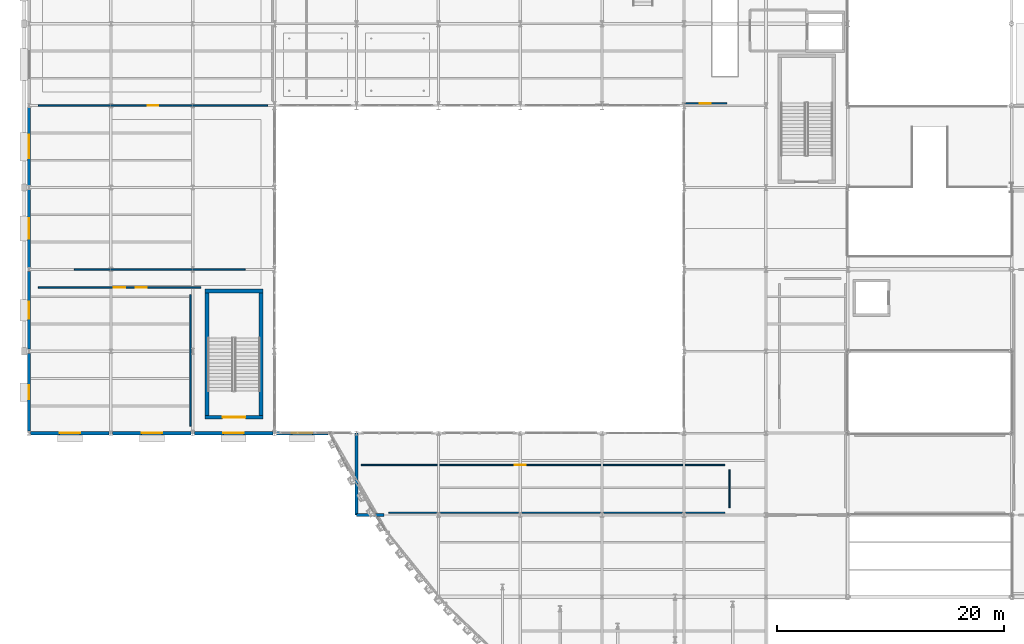
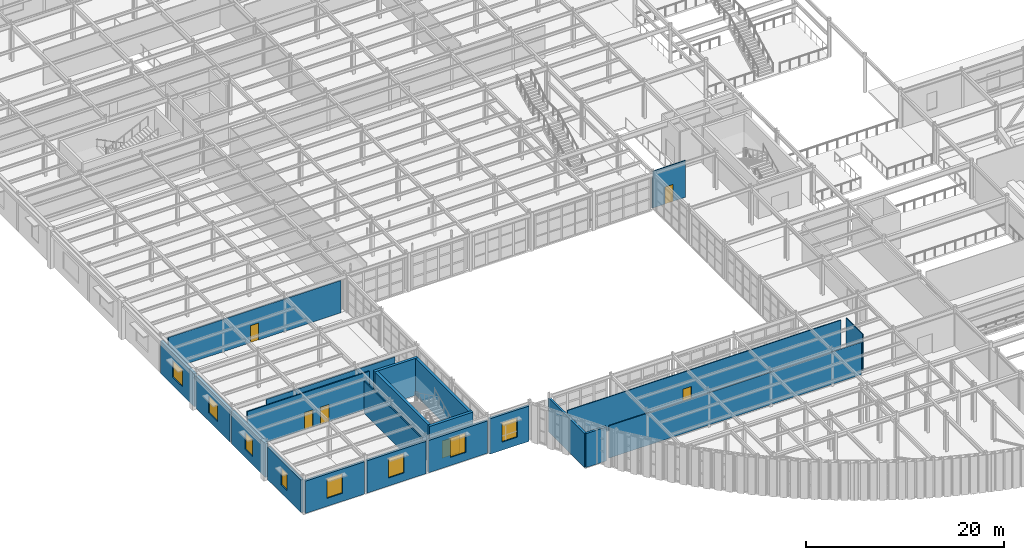
# One storey, part 94 of 121: 22 walls, 8 windows, 6 doors, 14 openings.
"""IFC4 building model written with IfcOpenShell, lengths in metres."""

from ifc_helpers import new_model, si_unit, direction, frame, frame_2d, origin, place, context, subcontext, project, spatial, rectangle, extrude, material, layer, layer_set, type_object, element, fill, save


model = new_model("IFC4")

# Units and contexts
model_context = context("Model", 3, precision=1e-05, world=origin(), true_north=direction((0.0, 1.0)))
body_context = subcontext(model_context, "Body", "Model", "MODEL_VIEW")
ifc_project = project(units=[si_unit("LENGTHUNIT", "METRE"), si_unit("AREAUNIT", "SQUARE_METRE"), si_unit("VOLUMEUNIT", "CUBIC_METRE"), si_unit("PLANEANGLEUNIT", "RADIAN"), si_unit("MASSUNIT", "GRAM", prefix="KILO")], contexts=[model_context])

# Site, building, storey
site_placement = place(None, origin())
site = spatial("IfcSite", under=ifc_project, at=site_placement, CompositionType="ELEMENT")
building_placement = place(site_placement, origin())
building = spatial("IfcBuilding", under=site, at=building_placement, Name="Solvadek Multi-Sports Hall", CompositionType="ELEMENT")
storey_placement = place(building_placement, frame((0.0, 0.0, 4.800048828125)))
storey = spatial("IfcBuildingStorey", under=building, at=storey_placement, Name="L01", CompositionType="ELEMENT", Elevation=4.800048828125)

# Walls
ifc_material_1 = material(Name="Dressed honey-cream limestone ashlar", Category="masonry")
ifc_layer_1 = layer(ifc_material_1, 0.25, Name="Dressed honey-cream limestone ashlar")
ifc_layer_set_1 = layer_set([ifc_layer_1], Name="Dressed honey-cream limestone ashlar")
wall_type_1 = type_object("IfcWallType", Name="ENV-WAL-EXT250", PredefinedType="SOLIDWALL", material=ifc_layer_set_1)
wall_1_placement = place(storey_placement, frame((28.800048828125, 13.199951171875, 0.0), z_axis=(0.0, 0.0, 1.0), x_axis=(0.0, 1.0, 0.0)))
element("IfcWall", 1, at=wall_1_placement, inside=storey, type_object=wall_type_1, Name="L01 Crescent Step Closure Wall #196", PredefinedType="SOLIDWALL", context=body_context, shape_type="SweptSolid", body=[
    extrude(rectangle(XDim=7.199951171875, YDim=0.25, at=frame_2d((3.60009765625, 0.0))), origin(), (0.0, 0.0, 1.0), 4.195068359375),
])
wall_2_placement = place(storey_placement, frame((28.800048828125, 13.199951171875, 0.0), z_axis=(0.0, 0.0, 1.0), x_axis=(1.0, 0.0, 0.0)))
element("IfcWall", 2, at=wall_2_placement, inside=storey, type_object=wall_type_1, Name="L01 Crescent Corner Closure Wall #197", PredefinedType="SOLIDWALL", context=body_context, shape_type="SweptSolid", body=[
    extrude(rectangle(XDim=2.39990234375, YDim=0.25, at=frame_2d((1.199951171875, 0.0))), origin(), (0.0, 0.0, 1.0), 4.195068359375),
])

# Wall, opening, window
ifc_layer_2 = layer(ifc_material_1, 0.300048828125, Name="Dressed honey-cream limestone ashlar")
ifc_layer_set_2 = layer_set([ifc_layer_2], Name="Dressed honey-cream limestone ashlar")
wall_type_2 = type_object("IfcWallType", Name="ENV-WAL-EXT300", PredefinedType="SOLIDWALL", material=ifc_layer_set_2)
wall_3_placement = place(storey_placement, frame((0.0, 20.583984375, 0.0), z_axis=(0.0, 0.0, 1.0), x_axis=(0.0, 1.0, 0.0)))
wall_3 = element("IfcWall", 3, at=wall_3_placement, inside=storey, type_object=wall_type_2, Name="L01 Exterior Masonry Wall #130", PredefinedType="SOLIDWALL", context=body_context, shape_type="SweptSolid", body=[
    extrude(rectangle(XDim=6.83203125, YDim=0.300048828125, at=frame_2d((3.416015625, 0.0))), origin(), (0.0, 0.0, 1.0), 4.044921875),
])
opening_1_placement = place(wall_3_placement, frame((2.81591796875, 0.0, 1.0)))
opening_1 = element("IfcOpeningElement", 4, at=opening_1_placement, cuts=wall_3, Name="Opening WN-09", PredefinedType="OPENING", context=body_context, shape_type="SweptSolid", body=[
    extrude(rectangle(XDim=1.199951171875, YDim=2.10009765625, at=frame_2d((0.60009765625, 1.050048828125))), frame((0.0, 0.159912109375, 0.0), z_axis=(0.0, -1.0, 0.0), x_axis=(1.0, 0.0, 0.0)), (0.0, 0.0, 1.0), 0.320068359375),
])
ifc_material_2 = material(Name="Tempered laminated low-E glass", Category="glass")
window_type_1 = type_object("IfcWindowType", Name="ENV-WIN-WN-09", PartitioningType="SINGLE_PANEL", PredefinedType="WINDOW", material=ifc_material_2)
window_1_placement = place(opening_1_placement, origin())
window_1 = element("IfcWindow", 5, at=window_1_placement, inside=storey, type_object=window_type_1, Name="L01 Facade Window WN-09 #21", OverallHeight=2.10009765625, OverallWidth=1.199951171875, PartitioningType="SINGLE_PANEL", PredefinedType="WINDOW", context=body_context, shape_type="SweptSolid", body=[
    extrude(rectangle(XDim=1.199951171875, YDim=2.10009765625, at=frame_2d((0.60009765625, 1.050048828125))), frame((0.0, 0.030029296875, 0.0), z_axis=(0.0, -1.0, 0.0), x_axis=(1.0, 0.0, 0.0)), (0.0, 0.0, 1.0), 0.06005859375),
])
fill(opening_1, window_1)

wall_4_placement = place(storey_placement, frame((0.0, 27.783935546875, 0.0), z_axis=(0.0, 0.0, 1.0), x_axis=(0.0, 1.0, 0.0)))
wall_4 = element("IfcWall", 6, at=wall_4_placement, inside=storey, type_object=wall_type_2, Name="L01 Exterior Masonry Wall #133", PredefinedType="SOLIDWALL", context=body_context, shape_type="SweptSolid", body=[
    extrude(rectangle(XDim=6.83203125, YDim=0.300048828125, at=frame_2d((3.416015625, 0.0))), origin(), (0.0, 0.0, 1.0), 4.14501953125),
])
opening_2_placement = place(wall_4_placement, frame((2.666015625, 0.0, 1.0)))
opening_2 = element("IfcOpeningElement", 7, at=opening_2_placement, cuts=wall_4, Name="Opening WN-10", PredefinedType="OPENING", context=body_context, shape_type="SweptSolid", body=[
    extrude(rectangle(XDim=1.5, YDim=2.10009765625, at=frame_2d((0.75, 1.050048828125))), frame((0.0, 0.159912109375, 0.0), z_axis=(0.0, -1.0, 0.0), x_axis=(1.0, 0.0, 0.0)), (0.0, 0.0, 1.0), 0.320068359375),
])
window_type_2 = type_object("IfcWindowType", Name="ENV-WIN-WN-10", PartitioningType="SINGLE_PANEL", PredefinedType="WINDOW", material=ifc_material_2)
window_2_placement = place(opening_2_placement, origin())
window_2 = element("IfcWindow", 8, at=window_2_placement, inside=storey, type_object=window_type_2, Name="L01 Facade Window WN-10 #23", OverallHeight=2.10009765625, OverallWidth=1.5, PartitioningType="SINGLE_PANEL", PredefinedType="WINDOW", context=body_context, shape_type="SweptSolid", body=[
    extrude(rectangle(XDim=1.5, YDim=2.10009765625, at=frame_2d((0.75, 1.050048828125))), frame((0.0, 0.030029296875, 0.0), z_axis=(0.0, -1.0, 0.0), x_axis=(1.0, 0.0, 0.0)), (0.0, 0.0, 1.0), 0.06005859375),
])
fill(opening_2, window_2)

wall_5_placement = place(storey_placement, frame((0.0, 34.98388671875, 0.0), z_axis=(0.0, 0.0, 1.0), x_axis=(0.0, 1.0, 0.0)))
wall_5 = element("IfcWall", 9, at=wall_5_placement, inside=storey, type_object=wall_type_2, Name="L01 Exterior Masonry Wall #136", PredefinedType="SOLIDWALL", context=body_context, shape_type="SweptSolid", body=[
    extrude(rectangle(XDim=6.83203125, YDim=0.300048828125, at=frame_2d((3.416015625, 0.0))), origin(), (0.0, 0.0, 1.0), 4.044921875),
])
opening_3_placement = place(wall_5_placement, frame((2.51611328125, 0.0, 1.0)))
opening_3 = element("IfcOpeningElement", 10, at=opening_3_placement, cuts=wall_5, Name="Opening WN-11", PredefinedType="OPENING", context=body_context, shape_type="SweptSolid", body=[
    extrude(rectangle(XDim=1.800048828125, YDim=2.10009765625, at=frame_2d((0.89990234375, 1.050048828125))), frame((0.0, 0.159912109375, 0.0), z_axis=(0.0, -1.0, 0.0), x_axis=(1.0, 0.0, 0.0)), (0.0, 0.0, 1.0), 0.320068359375),
])
window_type_3 = type_object("IfcWindowType", Name="ENV-WIN-WN-11", PartitioningType="SINGLE_PANEL", PredefinedType="WINDOW", material=ifc_material_2)
window_3_placement = place(opening_3_placement, origin())
window_3 = element("IfcWindow", 11, at=window_3_placement, inside=storey, type_object=window_type_3, Name="L01 Facade Window WN-11 #26", OverallHeight=2.10009765625, OverallWidth=1.800048828125, PartitioningType="SINGLE_PANEL", PredefinedType="WINDOW", context=body_context, shape_type="SweptSolid", body=[
    extrude(rectangle(XDim=1.800048828125, YDim=2.10009765625, at=frame_2d((0.89990234375, 1.050048828125))), frame((0.0, 0.030029296875, 0.0), z_axis=(0.0, -1.0, 0.0), x_axis=(1.0, 0.0, 0.0)), (0.0, 0.0, 1.0), 0.06005859375),
])
fill(opening_3, window_3)

wall_6_placement = place(storey_placement, frame((0.0, 42.18408203125, 0.0), z_axis=(0.0, 0.0, 1.0), x_axis=(0.0, 1.0, 0.0)))
wall_6 = element("IfcWall", 12, at=wall_6_placement, inside=storey, type_object=wall_type_2, Name="L01 Exterior Masonry Wall #139", PredefinedType="SOLIDWALL", context=body_context, shape_type="SweptSolid", body=[
    extrude(rectangle(XDim=6.83203125, YDim=0.300048828125, at=frame_2d((3.416015625, 0.0))), origin(), (0.0, 0.0, 1.0), 4.044921875),
])
opening_4_placement = place(wall_6_placement, frame((2.365966796875, 0.0, 1.0)))
opening_4 = element("IfcOpeningElement", 13, at=opening_4_placement, cuts=wall_6, Name="Opening WN-12", PredefinedType="OPENING", context=body_context, shape_type="SweptSolid", body=[
    extrude(rectangle(XDim=2.10009765625, YDim=2.10009765625, at=frame_2d((1.050048828125, 1.050048828125))), frame((0.0, 0.159912109375, 0.0), z_axis=(0.0, -1.0, 0.0), x_axis=(1.0, 0.0, 0.0)), (0.0, 0.0, 1.0), 0.320068359375),
])
window_type_4 = type_object("IfcWindowType", Name="ENV-WIN-WN-12", PartitioningType="SINGLE_PANEL", PredefinedType="WINDOW", material=ifc_material_2)
window_4_placement = place(opening_4_placement, origin())
window_4 = element("IfcWindow", 14, at=window_4_placement, inside=storey, type_object=window_type_4, Name="L01 Facade Window WN-12 #29", OverallHeight=2.10009765625, OverallWidth=2.10009765625, PartitioningType="SINGLE_PANEL", PredefinedType="WINDOW", context=body_context, shape_type="SweptSolid", body=[
    extrude(rectangle(XDim=2.10009765625, YDim=2.10009765625, at=frame_2d((1.050048828125, 1.050048828125))), frame((0.0, 0.030029296875, 0.0), z_axis=(0.0, -1.0, 0.0), x_axis=(1.0, 0.0, 0.0)), (0.0, 0.0, 1.0), 0.06005859375),
])
fill(opening_4, window_4)

wall_7_placement = place(storey_placement, frame((0.154052734375, 20.39990234375, 0.0), z_axis=(0.0, 0.0, 1.0), x_axis=(1.0, 0.0, 0.0)))
wall_7 = element("IfcWall", 15, at=wall_7_placement, inside=storey, type_object=wall_type_2, Name="L01 Exterior Masonry Wall #201", PredefinedType="SOLIDWALL", context=body_context, shape_type="SweptSolid", body=[
    extrude(rectangle(XDim=6.891845703125, YDim=0.300048828125, at=frame_2d((3.44580078125, 0.0))), origin(), (0.0, 0.0, 1.0), 3.994873046875),
])
opening_5_placement = place(wall_7_placement, frame((2.5458984375, 0.0, 1.0)))
opening_5 = element("IfcOpeningElement", 16, at=opening_5_placement, cuts=wall_7, Name="Opening WN-17", PredefinedType="OPENING", context=body_context, shape_type="SweptSolid", body=[
    extrude(rectangle(XDim=1.800048828125, YDim=2.39990234375, at=frame_2d((0.89990234375, 1.199951171875))), frame((0.0, 0.159912109375, 0.0), z_axis=(0.0, -1.0, 0.0), x_axis=(1.0, 0.0, 0.0)), (0.0, 0.0, 1.0), 0.320068359375),
])
window_type_5 = type_object("IfcWindowType", Name="ENV-WIN-WN-17", PartitioningType="SINGLE_PANEL", PredefinedType="WINDOW", material=ifc_material_2)
window_5_placement = place(opening_5_placement, origin())
window_5 = element("IfcWindow", 17, at=window_5_placement, inside=storey, type_object=window_type_5, Name="L01 Facade Window WN-17 #80", OverallHeight=2.39990234375, OverallWidth=1.800048828125, PartitioningType="SINGLE_PANEL", PredefinedType="WINDOW", context=body_context, shape_type="SweptSolid", body=[
    extrude(rectangle(XDim=1.800048828125, YDim=2.39990234375, at=frame_2d((0.89990234375, 1.199951171875))), frame((0.0, 0.030029296875, 0.0), z_axis=(0.0, -1.0, 0.0), x_axis=(1.0, 0.0, 0.0)), (0.0, 0.0, 1.0), 0.06005859375),
])
fill(opening_5, window_5)

wall_8_placement = place(storey_placement, frame((7.35400390625, 20.39990234375, 0.0), z_axis=(0.0, 0.0, 1.0), x_axis=(1.0, 0.0, 0.0)))
wall_8 = element("IfcWall", 18, at=wall_8_placement, inside=storey, type_object=wall_type_2, Name="L01 Exterior Masonry Wall #203", PredefinedType="SOLIDWALL", context=body_context, shape_type="SweptSolid", body=[
    extrude(rectangle(XDim=6.89208984375, YDim=0.300048828125, at=frame_2d((3.446044921875, 0.0))), origin(), (0.0, 0.0, 1.0), 3.994873046875),
])
opening_6_placement = place(wall_8_placement, frame((2.5458984375, 0.0, 1.0)))
opening_6 = element("IfcOpeningElement", 19, at=opening_6_placement, cuts=wall_8, Name="Opening WN-17", PredefinedType="OPENING", context=body_context, shape_type="SweptSolid", body=[
    extrude(rectangle(XDim=1.800048828125, YDim=2.39990234375, at=frame_2d((0.89990234375, 1.199951171875))), frame((0.0, 0.159912109375, 0.0), z_axis=(0.0, -1.0, 0.0), x_axis=(1.0, 0.0, 0.0)), (0.0, 0.0, 1.0), 0.320068359375),
])
window_6_placement = place(opening_6_placement, origin())
window_6 = element("IfcWindow", 20, at=window_6_placement, inside=storey, type_object=window_type_5, Name="L01 Facade Window WN-17 #81", OverallHeight=2.39990234375, OverallWidth=1.800048828125, PartitioningType="SINGLE_PANEL", PredefinedType="WINDOW", context=body_context, shape_type="SweptSolid", body=[
    extrude(rectangle(XDim=1.800048828125, YDim=2.39990234375, at=frame_2d((0.89990234375, 1.199951171875))), frame((0.0, 0.030029296875, 0.0), z_axis=(0.0, -1.0, 0.0), x_axis=(1.0, 0.0, 0.0)), (0.0, 0.0, 1.0), 0.06005859375),
])
fill(opening_6, window_6)

wall_9_placement = place(storey_placement, frame((14.553955078125, 20.39990234375, 0.0), z_axis=(0.0, 0.0, 1.0), x_axis=(1.0, 0.0, 0.0)))
wall_9 = element("IfcWall", 21, at=wall_9_placement, inside=storey, type_object=wall_type_2, Name="L01 Exterior Masonry Wall #206", PredefinedType="SOLIDWALL", context=body_context, shape_type="SweptSolid", body=[
    extrude(rectangle(XDim=6.89208984375, YDim=0.300048828125, at=frame_2d((3.446044921875, 0.0))), origin(), (0.0, 0.0, 1.0), 3.994873046875),
])
opening_7_placement = place(wall_9_placement, frame((2.5458984375, 0.0, 1.0)))
opening_7 = element("IfcOpeningElement", 22, at=opening_7_placement, cuts=wall_9, Name="Opening WN-17", PredefinedType="OPENING", context=body_context, shape_type="SweptSolid", body=[
    extrude(rectangle(XDim=1.800048828125, YDim=2.39990234375, at=frame_2d((0.89990234375, 1.199951171875))), frame((0.0, 0.159912109375, 0.0), z_axis=(0.0, -1.0, 0.0), x_axis=(1.0, 0.0, 0.0)), (0.0, 0.0, 1.0), 0.320068359375),
])
window_7_placement = place(opening_7_placement, origin())
window_7 = element("IfcWindow", 23, at=window_7_placement, inside=storey, type_object=window_type_5, Name="L01 Facade Window WN-17 #83", OverallHeight=2.39990234375, OverallWidth=1.800048828125, PartitioningType="SINGLE_PANEL", PredefinedType="WINDOW", context=body_context, shape_type="SweptSolid", body=[
    extrude(rectangle(XDim=1.800048828125, YDim=2.39990234375, at=frame_2d((0.89990234375, 1.199951171875))), frame((0.0, 0.030029296875, 0.0), z_axis=(0.0, -1.0, 0.0), x_axis=(1.0, 0.0, 0.0)), (0.0, 0.0, 1.0), 0.06005859375),
])
fill(opening_7, window_7)

wall_10_placement = place(storey_placement, frame((21.75390625, 20.39990234375, -0.219970703125), z_axis=(0.0, 0.0, 1.0), x_axis=(1.0, 0.0, 0.0)))
wall_10 = element("IfcWall", 24, at=wall_10_placement, inside=storey, type_object=wall_type_2, Name="L01 Exterior Masonry Wall #209", PredefinedType="SOLIDWALL", context=body_context, shape_type="SweptSolid", body=[
    extrude(rectangle(XDim=4.546630859375, YDim=0.300048828125, at=frame_2d((2.2734375, 0.0))), origin(), (0.0, 0.0, 1.0), 4.364990234375),
])
opening_8_placement = place(wall_10_placement, frame((1.373291015625, 0.0, 1.0)))
opening_8 = element("IfcOpeningElement", 25, at=opening_8_placement, cuts=wall_10, Name="Opening WN-17", PredefinedType="OPENING", context=body_context, shape_type="SweptSolid", body=[
    extrude(rectangle(XDim=1.800048828125, YDim=2.39990234375, at=frame_2d((0.89990234375, 1.199951171875))), frame((0.0, 0.159912109375, 0.0), z_axis=(0.0, -1.0, 0.0), x_axis=(1.0, 0.0, 0.0)), (0.0, 0.0, 1.0), 0.320068359375),
])
window_8_placement = place(opening_8_placement, origin())
window_8 = element("IfcWindow", 26, at=window_8_placement, inside=storey, type_object=window_type_5, Name="L01 Facade Window WN-17 #86", OverallHeight=2.39990234375, OverallWidth=1.800048828125, PartitioningType="SINGLE_PANEL", PredefinedType="WINDOW", context=body_context, shape_type="SweptSolid", body=[
    extrude(rectangle(XDim=1.800048828125, YDim=2.39990234375, at=frame_2d((0.89990234375, 1.199951171875))), frame((0.0, 0.030029296875, 0.0), z_axis=(0.0, -1.0, 0.0), x_axis=(1.0, 0.0, 0.0)), (0.0, 0.0, 1.0), 0.06005859375),
])
fill(opening_8, window_8)

# Wall
ifc_material_3 = material(Name="Teak hardwood timber", Category="wood")
ifc_layer_3 = layer(ifc_material_3, 0.14990234375, Name="Teak hardwood timber")
ifc_layer_set_3 = layer_set([ifc_layer_3], Name="Teak hardwood timber")
wall_type_3 = type_object("IfcWallType", Name="INT-WAL-MOV150", PredefinedType="MOVABLE", material=ifc_layer_set_3)
wall_11_placement = place(storey_placement, frame((4.0, 34.800048828125, 0.0), z_axis=(0.0, 0.0, 1.0), x_axis=(1.0, 0.0, 0.0)))
element("IfcWall", 27, at=wall_11_placement, inside=storey, type_object=wall_type_3, Name="L01 Movable Acoustic Hall Partition #6", PredefinedType="MOVABLE", context=body_context, shape_type="SweptSolid", body=[
    extrude(rectangle(XDim=15.0, YDim=0.14990234375, at=frame_2d((7.5, 0.0))), origin(), (0.0, 0.0, 1.0), 3.989990234375),
])

# Wall, opening, door
ifc_material_4 = material(Name="Autoclaved aerated concrete blockwork", Category="masonry")
ifc_layer_4 = layer(ifc_material_4, 0.10498046875, Name="Autoclaved aerated concrete blockwork")
ifc_layer_set_4 = layer_set([ifc_layer_4], Name="Autoclaved aerated concrete blockwork")
wall_type_4 = type_object("IfcWallType", Name="INT-WAL-PRT105", PredefinedType="PARTITIONING", material=ifc_layer_set_4)
wall_12_placement = place(storey_placement, frame((57.5556640625, 49.39990234375, 0.0), z_axis=(0.0, 0.0, 1.0), x_axis=(1.0, 0.0, 0.0)))
wall_12 = element("IfcWall", 28, at=wall_12_placement, inside=storey, type_object=wall_type_4, Name="L01 Partition Wall L01-12 S", PredefinedType="PARTITIONING", context=body_context, shape_type="SweptSolid", body=[
    extrude(rectangle(XDim=3.8193359375, YDim=0.10498046875, at=frame_2d((1.90966796875, 0.0))), origin(), (0.0, 0.0, 1.0), 4.544921875),
])
opening_9_placement = place(wall_12_placement, frame((1.4345703125, 0.0, 0.0)))
opening_9 = element("IfcOpeningElement", 29, at=opening_9_placement, cuts=wall_12, Name="Opening D-02", PredefinedType="OPENING", context=body_context, shape_type="SweptSolid", body=[
    extrude(rectangle(XDim=0.949951171875, YDim=2.10009765625, at=frame_2d((0.47509765625, 1.050048828125))), frame((0.0, 0.0625, 0.0), z_axis=(0.0, -1.0, 0.0), x_axis=(1.0, 0.0, 0.0)), (0.0, 0.0, 1.0), 0.125),
])
door_type_1 = type_object("IfcDoorType", Name="INT-DOR-RM095X210", OperationType="NOTDEFINED", PredefinedType="DOOR", material=ifc_material_3)
door_1_placement = place(opening_9_placement, origin())
door_1 = element("IfcDoor", 30, at=door_1_placement, inside=storey, type_object=door_type_1, Name="L01 L01-12 Door #41", OperationType="SINGLE_SWING_RIGHT", OverallHeight=2.10009765625, OverallWidth=0.949951171875, PredefinedType="DOOR", context=body_context, shape_type="SweptSolid", body=[
    extrude(rectangle(XDim=0.949951171875, YDim=2.10009765625, at=frame_2d((0.47509765625, 1.050048828125))), frame((0.0, 0.02490234375, 0.0), z_axis=(0.0, -1.0, 0.0), x_axis=(1.0, 0.0, 0.0)), (0.0, 0.0, 1.0), 0.050048828125),
])
fill(opening_9, door_1)

# Wall
wall_13_placement = place(storey_placement, frame((31.6357421875, 13.39990234375, 0.0), z_axis=(0.0, 0.0, 1.0), x_axis=(1.0, 0.0, 0.0)))
element("IfcWall", 31, at=wall_13_placement, inside=storey, type_object=wall_type_4, Name="L01 Partition Wall L01-16 S", PredefinedType="PARTITIONING", context=body_context, shape_type="SweptSolid", body=[
    extrude(rectangle(XDim=29.544189453125, YDim=0.10498046875, at=frame_2d((14.77197265625, 0.0))), origin(), (0.0, 0.0, 1.0), 3.989990234375),
])

# Wall, opening, door
wall_14_placement = place(storey_placement, frame((29.219970703125, 17.594970703125, 0.0), z_axis=(0.0, 0.0, 1.0), x_axis=(1.0, 0.0, 0.0)))
wall_14 = element("IfcWall", 32, at=wall_14_placement, inside=storey, type_object=wall_type_4, Name="L01 Partition Wall L01-16 N", PredefinedType="PARTITIONING", context=body_context, shape_type="SweptSolid", body=[
    extrude(rectangle(XDim=31.9599609375, YDim=0.10498046875, at=frame_2d((15.97998046875, 0.0))), origin(), (0.0, 0.0, 1.0), 4.18994140625),
])
opening_10_placement = place(wall_14_placement, frame((13.47998046875, 0.0, 0.0)))
opening_10 = element("IfcOpeningElement", 33, at=opening_10_placement, cuts=wall_14, Name="Opening D-01", PredefinedType="OPENING", context=body_context, shape_type="SweptSolid", body=[
    extrude(rectangle(XDim=1.0, YDim=2.10009765625, at=frame_2d((0.5, 1.050048828125))), frame((0.0, 0.0625, 0.0), z_axis=(0.0, -1.0, 0.0), x_axis=(1.0, 0.0, 0.0)), (0.0, 0.0, 1.0), 0.125),
])
door_type_2 = type_object("IfcDoorType", Name="INT-DOR-RM100X210", OperationType="NOTDEFINED", PredefinedType="DOOR", material=ifc_material_3)
door_2_placement = place(opening_10_placement, frame((1.0, 0.0, 0.0), z_axis=(0.0, 0.0, 1.0), x_axis=(-1.0, 0.0, 0.0)))
door_2 = element("IfcDoor", 34, at=door_2_placement, inside=storey, type_object=door_type_2, Name="L01 L01-16 Door #6", OperationType="SINGLE_SWING_LEFT", OverallHeight=2.10009765625, OverallWidth=1.0, PredefinedType="DOOR", context=body_context, shape_type="SweptSolid", body=[
    extrude(rectangle(XDim=1.0, YDim=2.10009765625, at=frame_2d((0.5, 1.050048828125))), frame((0.0, 0.02490234375, 0.0), z_axis=(0.0, -1.0, 0.0), x_axis=(1.0, 0.0, 0.0)), (0.0, 0.0, 1.0), 0.050048828125),
])
fill(opening_10, door_2)

# Wall
wall_15_placement = place(storey_placement, frame((61.60009765625, 13.820068359375, 0.0), z_axis=(0.0, 0.0, 1.0), x_axis=(0.0, 1.0, 0.0)))
element("IfcWall", 35, at=wall_15_placement, inside=storey, type_object=wall_type_4, Name="L01 Partition Wall L01-16 E", PredefinedType="PARTITIONING", context=body_context, shape_type="SweptSolid", body=[
    extrude(rectangle(XDim=3.35498046875, YDim=0.10498046875, at=frame_2d((1.677490234375, 0.0))), origin(), (0.0, 0.0, 1.0), 4.544921875),
])

# Wall, openings, doors
ifc_layer_5 = layer(ifc_material_4, 0.135009765625, Name="Autoclaved aerated concrete blockwork")
ifc_layer_set_5 = layer_set([ifc_layer_5], Name="Autoclaved aerated concrete blockwork")
wall_type_5 = type_object("IfcWallType", Name="INT-WAL-PRT135", PredefinedType="PARTITIONING", material=ifc_layer_set_5)
wall_16_placement = place(storey_placement, frame((0.820068359375, 33.199951171875, 0.0), z_axis=(0.0, 0.0, 1.0), x_axis=(1.0, 0.0, 0.0)))
wall_16 = element("IfcWall", 36, at=wall_16_placement, inside=storey, type_object=wall_type_5, Name="L01 Partition Wall L01-13 S", PredefinedType="PARTITIONING", context=body_context, shape_type="SweptSolid", body=[
    extrude(rectangle(XDim=14.29541015625, YDim=0.135009765625, at=frame_2d((7.147705078125, 0.0))), origin(), (0.0, 0.0, 1.0), 4.544921875),
])
opening_11_placement = place(wall_16_placement, frame((6.647705078125, 0.0, 0.0)))
opening_11 = element("IfcOpeningElement", 37, at=opening_11_placement, cuts=wall_16, Name="Opening D-01", PredefinedType="OPENING", context=body_context, shape_type="SweptSolid", body=[
    extrude(rectangle(XDim=1.0, YDim=2.10009765625, at=frame_2d((0.5, 1.050048828125))), frame((0.0, 0.077392578125, 0.0), z_axis=(0.0, -1.0, 0.0), x_axis=(1.0, 0.0, 0.0)), (0.0, 0.0, 1.0), 0.155029296875),
])
opening_12_placement = place(wall_16_placement, frame((8.5478515625, 0.0, 0.0)))
opening_12 = element("IfcOpeningElement", 38, at=opening_12_placement, cuts=wall_16, Name="Opening D-01", PredefinedType="OPENING", context=body_context, shape_type="SweptSolid", body=[
    extrude(rectangle(XDim=1.0, YDim=2.10009765625, at=frame_2d((0.5, 1.050048828125))), frame((0.0, 0.077392578125, 0.0), z_axis=(0.0, -1.0, 0.0), x_axis=(1.0, 0.0, 0.0)), (0.0, 0.0, 1.0), 0.155029296875),
])
door_3_placement = place(opening_11_placement, origin())
door_3 = element("IfcDoor", 39, at=door_3_placement, inside=storey, type_object=door_type_2, Name="L01 L01-13 Door #42", OperationType="SINGLE_SWING_LEFT", OverallHeight=2.10009765625, OverallWidth=1.0, PredefinedType="DOOR", context=body_context, shape_type="SweptSolid", body=[
    extrude(rectangle(XDim=1.0, YDim=2.10009765625, at=frame_2d((0.5, 1.050048828125))), frame((0.0, 0.02490234375, 0.0), z_axis=(0.0, -1.0, 0.0), x_axis=(1.0, 0.0, 0.0)), (0.0, 0.0, 1.0), 0.050048828125),
])
fill(opening_11, door_3)
door_4_placement = place(opening_12_placement, frame((1.0, 0.0, 0.0), z_axis=(0.0, 0.0, 1.0), x_axis=(-1.0, 0.0, 0.0)))
door_4 = element("IfcDoor", 40, at=door_4_placement, inside=storey, type_object=door_type_2, Name="L01 L01-15 Door #44", OperationType="SINGLE_SWING_LEFT", OverallHeight=2.10009765625, OverallWidth=1.0, PredefinedType="DOOR", context=body_context, shape_type="SweptSolid", body=[
    extrude(rectangle(XDim=1.0, YDim=2.10009765625, at=frame_2d((0.5, 1.050048828125))), frame((0.0, 0.02490234375, 0.0), z_axis=(0.0, -1.0, 0.0), x_axis=(1.0, 0.0, 0.0)), (0.0, 0.0, 1.0), 0.050048828125),
])
fill(opening_12, door_4)

# Wall, opening, door
wall_17_placement = place(storey_placement, frame((0.820068359375, 49.199951171875, 0.0), z_axis=(0.0, 0.0, 1.0), x_axis=(1.0, 0.0, 0.0)))
wall_17 = element("IfcWall", 41, at=wall_17_placement, inside=storey, type_object=wall_type_5, Name="L01 Partition Wall L01-13 N", PredefinedType="PARTITIONING", context=body_context, shape_type="SweptSolid", body=[
    extrude(rectangle(XDim=20.159912109375, YDim=0.135009765625, at=frame_2d((10.080078125, 0.0))), origin(), (0.0, 0.0, 1.0), 3.989990234375),
])
opening_13_placement = place(wall_17_placement, frame((9.60498046875, 0.0, 0.0)))
opening_13 = element("IfcOpeningElement", 42, at=opening_13_placement, cuts=wall_17, Name="Opening D-02", PredefinedType="OPENING", context=body_context, shape_type="SweptSolid", body=[
    extrude(rectangle(XDim=0.949951171875, YDim=2.10009765625, at=frame_2d((0.47509765625, 1.050048828125))), frame((0.0, 0.077392578125, 0.0), z_axis=(0.0, -1.0, 0.0), x_axis=(1.0, 0.0, 0.0)), (0.0, 0.0, 1.0), 0.155029296875),
])
door_5_placement = place(opening_13_placement, origin())
door_5 = element("IfcDoor", 43, at=door_5_placement, inside=storey, type_object=door_type_1, Name="L01 L01-14 Door #43", OperationType="SINGLE_SWING_RIGHT", OverallHeight=2.10009765625, OverallWidth=0.949951171875, PredefinedType="DOOR", context=body_context, shape_type="SweptSolid", body=[
    extrude(rectangle(XDim=0.949951171875, YDim=2.10009765625, at=frame_2d((0.47509765625, 1.050048828125))), frame((0.0, 0.02490234375, 0.0), z_axis=(0.0, -1.0, 0.0), x_axis=(1.0, 0.0, 0.0)), (0.0, 0.0, 1.0), 0.050048828125),
])
fill(opening_13, door_5)

# Wall
wall_18_placement = place(storey_placement, frame((14.199951171875, 21.02001953125, 0.0), z_axis=(0.0, 0.0, 1.0), x_axis=(0.0, 1.0, 0.0)))
element("IfcWall", 44, at=wall_18_placement, inside=storey, type_object=wall_type_5, Name="L01 Partition Wall L01-15 E", PredefinedType="PARTITIONING", context=body_context, shape_type="SweptSolid", body=[
    extrude(rectangle(XDim=11.56005859375, YDim=0.135009765625, at=frame_2d((5.780029296875, 0.0))), origin(), (0.0, 0.0, 1.0), 3.989990234375),
])

# Wall, opening, door
ifc_material_5 = material(Name="Concrete M40", Category="concrete")
ifc_layer_6 = layer(ifc_material_5, 0.320068359375, Name="Concrete M40")
ifc_layer_set_6 = layer_set([ifc_layer_6], Name="Concrete M40")
wall_type_6 = type_object("IfcWallType", Name="INT-WAL-SHR320", PredefinedType="SHEAR", material=ifc_layer_set_6)
wall_19_placement = place(storey_placement, frame((15.489990234375, 21.800048828125, 0.0), z_axis=(0.0, 0.0, 1.0), x_axis=(1.0, 0.0, 0.0)))
wall_19 = element("IfcWall", 45, at=wall_19_placement, inside=storey, type_object=wall_type_6, Name="L01 Stair ST-01 Shear Wall S", PredefinedType="SHEAR", context=body_context, shape_type="SweptSolid", body=[
    extrude(rectangle(XDim=5.070068359375, YDim=0.320068359375, at=frame_2d((2.53515625, 0.0))), origin(), (0.0, 0.0, 1.0), 4.56005859375),
])
opening_14_placement = place(wall_19_placement, frame((1.534912109375, 0.0, 0.0)))
opening_14 = element("IfcOpeningElement", 46, at=opening_14_placement, cuts=wall_19, Name="Opening FD120", PredefinedType="OPENING", context=body_context, shape_type="SweptSolid", body=[
    extrude(rectangle(XDim=2.0, YDim=2.14990234375, at=frame_2d((1.0, 1.074951171875))), frame((0.0, 0.169921875, 0.0), z_axis=(0.0, -1.0, 0.0), x_axis=(1.0, 0.0, 0.0)), (0.0, 0.0, 1.0), 0.340087890625),
])
ifc_material_6 = material(Name="Steel E250 (250 MPa)", Category="steel")
door_type_3 = type_object("IfcDoorType", Name="INT-DOR-FD200X215", OperationType="DOUBLE_DOOR_SINGLE_SWING", PredefinedType="DOOR", material=ifc_material_6)
door_6_placement = place(opening_14_placement, origin())
door_6 = element("IfcDoor", 47, at=door_6_placement, inside=storey, type_object=door_type_3, Name="L01 Stair ST-01 Fire Door", OperationType="DOUBLE_DOOR_SINGLE_SWING", OverallHeight=2.14990234375, OverallWidth=2.0, PredefinedType="DOOR", context=body_context, shape_type="SweptSolid", body=[
    extrude(rectangle(XDim=2.0, YDim=2.14990234375, at=frame_2d((1.0, 1.074951171875))), frame((0.0, 0.02490234375, 0.0), z_axis=(0.0, -1.0, 0.0), x_axis=(1.0, 0.0, 0.0)), (0.0, 0.0, 1.0), 0.050048828125),
])
fill(opening_14, door_6)

# Walls
wall_20_placement = place(storey_placement, frame((15.489990234375, 32.89990234375, 0.0), z_axis=(0.0, 0.0, 1.0), x_axis=(1.0, 0.0, 0.0)))
element("IfcWall", 48, at=wall_20_placement, inside=storey, type_object=wall_type_6, Name="L01 Stair ST-01 Shear Wall N", PredefinedType="SHEAR", context=body_context, shape_type="SweptSolid", body=[
    extrude(rectangle(XDim=5.070068359375, YDim=0.320068359375, at=frame_2d((2.53515625, 0.0))), origin(), (0.0, 0.0, 1.0), 4.56005859375),
])
for number, where, z_axis, x_axis, name in (
    (49, (15.64990234375, 21.9599609375, 0.0), (0.0, 0.0, 1.0), (0.0, 1.0, 0.0), "L01 Stair ST-01 Shear Wall W"),
    (50, (20.39990234375, 21.9599609375, 0.0), (0.0, 0.0, 1.0), (0.0, 1.0, 0.0), "L01 Stair ST-01 Shear Wall E"),
):
    element("IfcWall", number, at=place(storey_placement, frame(where, z_axis=z_axis, x_axis=x_axis)), inside=storey, type_object=wall_type_6, Name=name, PredefinedType="SHEAR", context=body_context, shape_type="SweptSolid", body=[
        extrude(rectangle(XDim=10.780029296875, YDim=0.320068359375, at=frame_2d((5.39013671875, 0.0))), origin(), (0.0, 0.0, 1.0), 4.56005859375),
    ])

save(model, "model.ifc")
